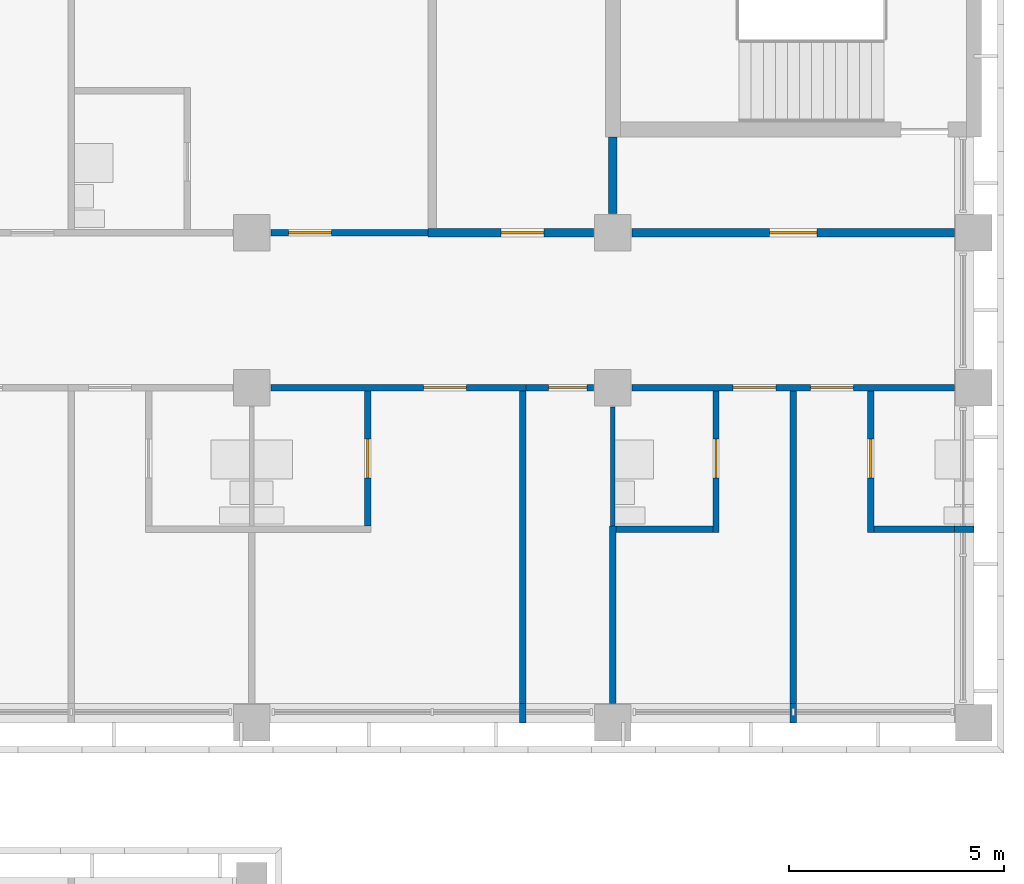
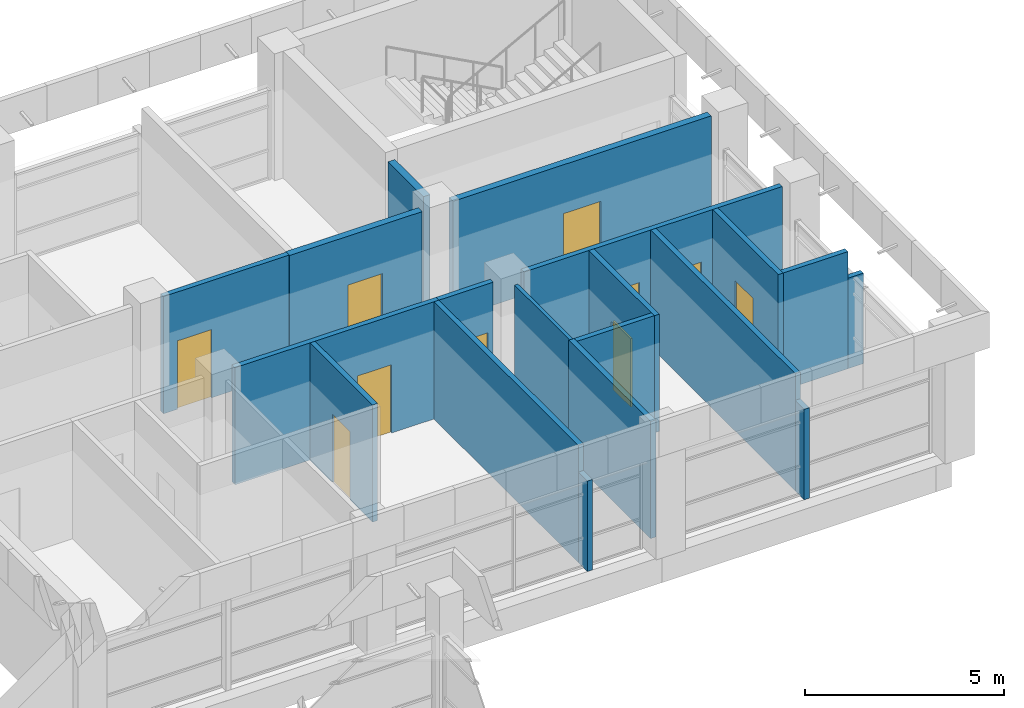
# One storey, part 42 of 74: 19 walls, 10 doors, 10 openings.
"""IFC4 building model written with IfcOpenShell, lengths in metres."""

from ifc_helpers import new_model, si_unit, direction, frame, frame_2d, origin, place, context, subcontext, project, spatial, rectangle, extrude, material, layer, layer_set, type_object, element, fill, save


model = new_model("IFC4")

# Units and contexts
model_context = context("Model", 3, precision=1e-05, world=origin(), true_north=direction((0.0, 1.0)))
body_context = subcontext(model_context, "Body", "Model", "MODEL_VIEW")
ifc_project = project(units=[si_unit("LENGTHUNIT", "METRE"), si_unit("AREAUNIT", "SQUARE_METRE"), si_unit("VOLUMEUNIT", "CUBIC_METRE"), si_unit("PLANEANGLEUNIT", "RADIAN"), si_unit("MASSUNIT", "GRAM", prefix="KILO")], contexts=[model_context])

# Site, building, storey
site_placement = place(None, origin())
site = spatial("IfcSite", under=ifc_project, at=site_placement, CompositionType="ELEMENT")
building_placement = place(site_placement, origin())
building = spatial("IfcBuilding", under=site, at=building_placement, Name="Bougainvillea Quay General Hospital", CompositionType="ELEMENT")
storey_placement = place(building_placement, frame((0.0, 0.0, 21.0)))
storey = spatial("IfcBuildingStorey", under=building, at=storey_placement, Name="L04", CompositionType="ELEMENT", Elevation=21.0)

# Walls
ifc_material_1 = material(Name="Gypsum board partition on steel studs", Category="steel")
ifc_layer_1 = layer(ifc_material_1, 0.10009765625)
ifc_layer_set_1 = layer_set([ifc_layer_1], Name="Gypsum board partition on steel studs")
wall_type_1 = type_object("IfcWallType", Name="Partition 100 Gypsum board partition", PredefinedType="PARTITIONING", material=ifc_layer_set_1)
wall_1_placement = place(storey_placement, frame((176.39990234375, 144.97509765625, 0.0), z_axis=(0.0, 0.0, 1.0), x_axis=(0.0, 1.0, 0.0)))
element("IfcWall", 1, at=wall_1_placement, inside=storey, type_object=wall_type_1, Name="Partition 100 mm", PredefinedType="PARTITIONING", context=body_context, shape_type="SweptSolid", body=[
    extrude(rectangle(XDim=2.77490234375, YDim=0.10009765625, at=frame_2d((1.387451171875, 0.0))), origin(), (0.0, 0.0, 1.0), 3.60009765625),
])
ifc_material_2 = material(Name="Gypsum board partition on steel studs, insulated", Category="steel")
ifc_layer_2 = layer(ifc_material_2, 0.14990234375)
ifc_layer_set_2 = layer_set([ifc_layer_2], Name="Gypsum board partition on steel studs, insulated")
wall_type_2 = type_object("IfcWallType", Name="Partition 150 Gypsum board partition", PredefinedType="PARTITIONING", material=ifc_layer_set_2)
wall_2_placement = place(storey_placement, frame((174.300048828125, 140.39990234375, 0.0), z_axis=(0.0, 0.0, 1.0), x_axis=(0.0, 1.0, 0.0)))
element("IfcWall", 2, at=wall_2_placement, inside=storey, type_object=wall_type_2, Name="Partition 150 mm", PredefinedType="PARTITIONING", context=body_context, shape_type="SweptSolid", body=[
    extrude(rectangle(XDim=0.4501953125, YDim=0.14990234375, at=frame_2d((0.22509765625, 0.0))), origin(), (0.0, 0.0, 1.0), 2.780029296875),
])
wall_3_placement = place(storey_placement, frame((174.300048828125, 140.85009765625, 0.0), z_axis=(0.0, 0.0, 1.0), x_axis=(0.0, 1.0, 0.0)))
element("IfcWall", 3, at=wall_3_placement, inside=storey, type_object=wall_type_2, Name="Partition 150 mm", PredefinedType="PARTITIONING", context=body_context, shape_type="SweptSolid", body=[
    extrude(rectangle(XDim=7.27490234375, YDim=0.14990234375, at=frame_2d((3.637451171875, 0.0))), origin(), (0.0, 0.0, 1.0), 3.60009765625),
])
wall_4_placement = place(storey_placement, frame((180.60009765625, 140.39990234375, 0.0), z_axis=(0.0, 0.0, 1.0), x_axis=(0.0, 1.0, 0.0)))
element("IfcWall", 4, at=wall_4_placement, inside=storey, type_object=wall_type_2, Name="Partition 150 mm", PredefinedType="PARTITIONING", context=body_context, shape_type="SweptSolid", body=[
    extrude(rectangle(XDim=0.4501953125, YDim=0.14990234375, at=frame_2d((0.22509765625, 0.0))), origin(), (0.0, 0.0, 1.0), 2.780029296875),
])
wall_5_placement = place(storey_placement, frame((180.60009765625, 140.85009765625, 0.0), z_axis=(0.0, 0.0, 1.0), x_axis=(0.0, 1.0, 0.0)))
element("IfcWall", 5, at=wall_5_placement, inside=storey, type_object=wall_type_2, Name="Partition 150 mm", PredefinedType="PARTITIONING", context=body_context, shape_type="SweptSolid", body=[
    extrude(rectangle(XDim=7.27490234375, YDim=0.14990234375, at=frame_2d((3.637451171875, 0.0))), origin(), (0.0, 0.0, 1.0), 3.60009765625),
])
wall_6_placement = place(storey_placement, frame((176.39990234375, 140.85009765625, 0.0), z_axis=(0.0, 0.0, 1.0), x_axis=(0.0, 1.0, 0.0)))
element("IfcWall", 6, at=wall_6_placement, inside=storey, type_object=wall_type_2, Name="Partition 150 mm", PredefinedType="PARTITIONING", context=body_context, shape_type="SweptSolid", body=[
    extrude(rectangle(XDim=4.125, YDim=0.14990234375, at=frame_2d((2.0625, 0.0))), origin(), (0.0, 0.0, 1.0), 3.60009765625),
])

# Wall, opening, door
wall_7_placement = place(storey_placement, frame((170.699951171875, 144.97509765625, 0.0), z_axis=(0.0, 0.0, 1.0), x_axis=(0.0, 1.0, 0.0)))
wall_7 = element("IfcWall", 7, at=wall_7_placement, inside=storey, type_object=wall_type_2, Name="Partition 150 mm", PredefinedType="PARTITIONING", context=body_context, shape_type="SweptSolid", body=[
    extrude(rectangle(XDim=3.14990234375, YDim=0.14990234375, at=frame_2d((1.574951171875, 0.0))), origin(), (0.0, 0.0, 1.0), 3.60009765625),
])
opening_1_placement = place(wall_7_placement, frame((1.125, 0.0, 0.0)))
opening_1 = element("IfcOpeningElement", 8, at=opening_1_placement, cuts=wall_7, Name="Opening L04.062", PredefinedType="OPENING", context=body_context, shape_type="SweptSolid", body=[
    extrude(rectangle(XDim=0.89990234375, YDim=2.10009765625, at=frame_2d((0.449951171875, 1.050048828125))), frame((0.0, 0.0849609375, 0.0), z_axis=(0.0, -1.0, 0.0), x_axis=(1.0, 0.0, 0.0)), (0.0, 0.0, 1.0), 0.169921875),
])
ifc_material_3 = material(Name="Solid-core timber door leaf in steel frame", Category="steel")
door_type_1 = type_object("IfcDoorType", Name="Single leaf door 900x2100", OperationType="NOTDEFINED", PredefinedType="DOOR", material=ifc_material_3)
door_1_placement = place(opening_1_placement, origin())
door_1 = element("IfcDoor", 9, at=door_1_placement, inside=storey, type_object=door_type_1, Name="DT07 L04.062", OperationType="SINGLE_SWING_RIGHT", OverallHeight=2.10009765625, OverallWidth=0.89990234375, PredefinedType="DOOR", context=body_context, shape_type="SweptSolid", body=[
    extrude(rectangle(XDim=0.89990234375, YDim=2.10009765625, at=frame_2d((0.449951171875, 1.050048828125))), frame((0.0, 0.02490234375, 0.0), z_axis=(0.0, -1.0, 0.0), x_axis=(1.0, 0.0, 0.0)), (0.0, 0.0, 1.0), 0.050048828125),
])
fill(opening_1, door_1)

wall_8_placement = place(storey_placement, frame((178.800048828125, 144.824951171875, 0.0), z_axis=(0.0, 0.0, 1.0), x_axis=(0.0, 1.0, 0.0)))
wall_8 = element("IfcWall", 10, at=wall_8_placement, inside=storey, type_object=wall_type_2, Name="Partition 150 mm", PredefinedType="PARTITIONING", context=body_context, shape_type="SweptSolid", body=[
    extrude(rectangle(XDim=3.300048828125, YDim=0.14990234375, at=frame_2d((1.64990234375, 0.0))), origin(), (0.0, 0.0, 1.0), 3.60009765625),
])
opening_2_placement = place(wall_8_placement, frame((1.27490234375, 0.0, 0.0)))
opening_2 = element("IfcOpeningElement", 11, at=opening_2_placement, cuts=wall_8, Name="Opening L04.065", PredefinedType="OPENING", context=body_context, shape_type="SweptSolid", body=[
    extrude(rectangle(XDim=0.89990234375, YDim=2.10009765625, at=frame_2d((0.449951171875, 1.050048828125))), frame((0.0, 0.0849609375, 0.0), z_axis=(0.0, -1.0, 0.0), x_axis=(1.0, 0.0, 0.0)), (0.0, 0.0, 1.0), 0.169921875),
])
door_2_placement = place(opening_2_placement, origin())
door_2 = element("IfcDoor", 12, at=door_2_placement, inside=storey, type_object=door_type_1, Name="DT07 L04.065", OperationType="SINGLE_SWING_RIGHT", OverallHeight=2.10009765625, OverallWidth=0.89990234375, PredefinedType="DOOR", context=body_context, shape_type="SweptSolid", body=[
    extrude(rectangle(XDim=0.89990234375, YDim=2.10009765625, at=frame_2d((0.449951171875, 1.050048828125))), frame((0.0, 0.02490234375, 0.0), z_axis=(0.0, -1.0, 0.0), x_axis=(1.0, 0.0, 0.0)), (0.0, 0.0, 1.0), 0.050048828125),
])
fill(opening_2, door_2)

wall_9_placement = place(storey_placement, frame((182.39990234375, 144.824951171875, 0.0), z_axis=(0.0, 0.0, 1.0), x_axis=(0.0, 1.0, 0.0)))
wall_9 = element("IfcWall", 13, at=wall_9_placement, inside=storey, type_object=wall_type_2, Name="Partition 150 mm", PredefinedType="PARTITIONING", context=body_context, shape_type="SweptSolid", body=[
    extrude(rectangle(XDim=3.300048828125, YDim=0.14990234375, at=frame_2d((1.64990234375, 0.0))), origin(), (0.0, 0.0, 1.0), 3.60009765625),
])
opening_3_placement = place(wall_9_placement, frame((1.27490234375, 0.0, 0.0)))
opening_3 = element("IfcOpeningElement", 14, at=opening_3_placement, cuts=wall_9, Name="Opening L04.067", PredefinedType="OPENING", context=body_context, shape_type="SweptSolid", body=[
    extrude(rectangle(XDim=0.89990234375, YDim=2.10009765625, at=frame_2d((0.449951171875, 1.050048828125))), frame((0.0, 0.0849609375, 0.0), z_axis=(0.0, -1.0, 0.0), x_axis=(1.0, 0.0, 0.0)), (0.0, 0.0, 1.0), 0.169921875),
])
door_3_placement = place(opening_3_placement, frame((0.89990234375, 0.0, 0.0), z_axis=(0.0, 0.0, 1.0), x_axis=(-1.0, 0.0, 0.0)))
door_3 = element("IfcDoor", 15, at=door_3_placement, inside=storey, type_object=door_type_1, Name="DT07 L04.067", OperationType="SINGLE_SWING_LEFT", OverallHeight=2.10009765625, OverallWidth=0.89990234375, PredefinedType="DOOR", context=body_context, shape_type="SweptSolid", body=[
    extrude(rectangle(XDim=0.89990234375, YDim=2.10009765625, at=frame_2d((0.449951171875, 1.050048828125))), frame((0.0, 0.02490234375, 0.0), z_axis=(0.0, -1.0, 0.0), x_axis=(1.0, 0.0, 0.0)), (0.0, 0.0, 1.0), 0.050048828125),
])
fill(opening_3, door_3)

# Walls
wall_10_placement = place(storey_placement, frame((176.47509765625, 144.89990234375, 0.0), z_axis=(0.0, 0.0, 1.0), x_axis=(1.0, 0.0, 0.0)))
element("IfcWall", 16, at=wall_10_placement, inside=storey, type_object=wall_type_2, Name="Partition 150 mm", PredefinedType="PARTITIONING", context=body_context, shape_type="SweptSolid", body=[
    extrude(rectangle(XDim=2.25, YDim=0.14990234375, at=frame_2d((1.125, 0.0))), origin(), (0.0, 0.0, 1.0), 3.60009765625),
])
wall_11_placement = place(storey_placement, frame((182.47509765625, 144.89990234375, 0.0), z_axis=(0.0, 0.0, 1.0), x_axis=(1.0, 0.0, 0.0)))
element("IfcWall", 17, at=wall_11_placement, inside=storey, type_object=wall_type_2, Name="Partition 150 mm", PredefinedType="PARTITIONING", context=body_context, shape_type="SweptSolid", body=[
    extrude(rectangle(XDim=1.875, YDim=0.14990234375, at=frame_2d((0.9375, 0.0))), origin(), (0.0, 0.0, 1.0), 3.60009765625),
])
wall_12_placement = place(storey_placement, frame((184.35009765625, 144.89990234375, 0.0), z_axis=(0.0, 0.0, 1.0), x_axis=(1.0, 0.0, 0.0)))
element("IfcWall", 18, at=wall_12_placement, inside=storey, type_object=wall_type_2, Name="Partition 150 mm", PredefinedType="PARTITIONING", context=body_context, shape_type="SweptSolid", body=[
    extrude(rectangle(XDim=0.449951171875, YDim=0.14990234375, at=frame_2d((0.22509765625, 0.0))), origin(), (0.0, 0.0, 1.0), 2.780029296875),
])

# Wall, opening, door
ifc_layer_3 = layer(ifc_material_2, 0.14990234375)
ifc_layer_set_3 = layer_set([ifc_layer_3], Name="Gypsum board partition on steel studs, insulated")
wall_type_3 = type_object("IfcWallType", Name="Partition 150 Gypsum board partition EI 30", PredefinedType="PARTITIONING", material=ifc_layer_set_3)
wall_13_placement = place(storey_placement, frame((172.10009765625, 151.800048828125, 0.0), z_axis=(0.0, 0.0, 1.0), x_axis=(-1.0, 0.0, 0.0)))
wall_13 = element("IfcWall", 19, at=wall_13_placement, inside=storey, type_object=wall_type_3, Name="Partition 150 mm EI 30", PredefinedType="PARTITIONING", context=body_context, shape_type="SweptSolid", body=[
    extrude(rectangle(XDim=3.650146484375, YDim=0.14990234375, at=frame_2d((1.8251953125, 0.0))), origin(), (0.0, 0.0, 1.0), 3.60009765625),
])
opening_4_placement = place(wall_13_placement, frame((2.25, 0.0, 0.0)))
opening_4 = element("IfcOpeningElement", 20, at=opening_4_placement, cuts=wall_13, Name="Opening L04.056", PredefinedType="OPENING", context=body_context, shape_type="SweptSolid", body=[
    extrude(rectangle(XDim=1.0, YDim=2.10009765625, at=frame_2d((0.5, 1.050048828125))), frame((0.0, 0.0849609375, 0.0), z_axis=(0.0, -1.0, 0.0), x_axis=(1.0, 0.0, 0.0)), (0.0, 0.0, 1.0), 0.169921875),
])
door_type_2 = type_object("IfcDoorType", Name="Single leaf door 1000x2100 FD30S", OperationType="NOTDEFINED", PredefinedType="DOOR", material=ifc_material_3)
door_4_placement = place(opening_4_placement, frame((1.0, 0.0, 0.0), z_axis=(0.0, 0.0, 1.0), x_axis=(-1.0, 0.0, 0.0)))
door_4 = element("IfcDoor", 21, at=door_4_placement, inside=storey, type_object=door_type_2, Name="DT15 L04.056", OperationType="SINGLE_SWING_LEFT", OverallHeight=2.10009765625, OverallWidth=1.0, PredefinedType="DOOR", context=body_context, shape_type="SweptSolid", body=[
    extrude(rectangle(XDim=1.0, YDim=2.10009765625, at=frame_2d((0.5, 1.050048828125))), frame((0.0, 0.02490234375, 0.0), z_axis=(0.0, -1.0, 0.0), x_axis=(1.0, 0.0, 0.0)), (0.0, 0.0, 1.0), 0.050048828125),
])
fill(opening_4, door_4)

wall_14_placement = place(storey_placement, frame((174.375, 148.199951171875, 0.0), z_axis=(0.0, 0.0, 1.0), x_axis=(-1.0, 0.0, 0.0)))
wall_14 = element("IfcWall", 22, at=wall_14_placement, inside=storey, type_object=wall_type_3, Name="Partition 150 mm EI 30", PredefinedType="PARTITIONING", context=body_context, shape_type="SweptSolid", body=[
    extrude(rectangle(XDim=5.925048828125, YDim=0.14990234375, at=frame_2d((2.96240234375, 0.0))), origin(), (0.0, 0.0, 1.0), 3.60009765625),
])
opening_5_placement = place(wall_14_placement, frame((1.375, 0.0, 0.0)))
opening_5 = element("IfcOpeningElement", 23, at=opening_5_placement, cuts=wall_14, Name="Opening L04.061", PredefinedType="OPENING", context=body_context, shape_type="SweptSolid", body=[
    extrude(rectangle(XDim=1.0, YDim=2.10009765625, at=frame_2d((0.5, 1.050048828125))), frame((0.0, 0.0849609375, 0.0), z_axis=(0.0, -1.0, 0.0), x_axis=(1.0, 0.0, 0.0)), (0.0, 0.0, 1.0), 0.169921875),
])
door_5_placement = place(opening_5_placement, origin())
door_5 = element("IfcDoor", 24, at=door_5_placement, inside=storey, type_object=door_type_2, Name="DT15 L04.061", OperationType="SINGLE_SWING_LEFT", OverallHeight=2.10009765625, OverallWidth=1.0, PredefinedType="DOOR", context=body_context, shape_type="SweptSolid", body=[
    extrude(rectangle(XDim=1.0, YDim=2.10009765625, at=frame_2d((0.5, 1.050048828125))), frame((0.0, 0.02490234375, 0.0), z_axis=(0.0, -1.0, 0.0), x_axis=(1.0, 0.0, 0.0)), (0.0, 0.0, 1.0), 0.050048828125),
])
fill(opening_5, door_5)

# Wall, openings, doors
wall_15_placement = place(storey_placement, frame((184.35009765625, 148.199951171875, 0.0), z_axis=(0.0, 0.0, 1.0), x_axis=(-1.0, 0.0, 0.0)))
wall_15 = element("IfcWall", 25, at=wall_15_placement, inside=storey, type_object=wall_type_3, Name="Partition 150 mm EI 30", PredefinedType="PARTITIONING", context=body_context, shape_type="SweptSolid", body=[
    extrude(rectangle(XDim=7.5, YDim=0.14990234375, at=frame_2d((3.75, 0.0))), origin(), (0.0, 0.0, 1.0), 3.60009765625),
])
opening_6_placement = place(wall_15_placement, frame((4.14990234375, 0.0, 0.0)))
opening_6 = element("IfcOpeningElement", 26, at=opening_6_placement, cuts=wall_15, Name="Opening L04.064", PredefinedType="OPENING", context=body_context, shape_type="SweptSolid", body=[
    extrude(rectangle(XDim=1.0, YDim=2.10009765625, at=frame_2d((0.5, 1.050048828125))), frame((0.0, 0.0849609375, 0.0), z_axis=(0.0, -1.0, 0.0), x_axis=(1.0, 0.0, 0.0)), (0.0, 0.0, 1.0), 0.169921875),
])
opening_7_placement = place(wall_15_placement, frame((2.35009765625, 0.0, 0.0)))
opening_7 = element("IfcOpeningElement", 27, at=opening_7_placement, cuts=wall_15, Name="Opening L04.066", PredefinedType="OPENING", context=body_context, shape_type="SweptSolid", body=[
    extrude(rectangle(XDim=1.0, YDim=2.10009765625, at=frame_2d((0.5, 1.050048828125))), frame((0.0, 0.0849609375, 0.0), z_axis=(0.0, -1.0, 0.0), x_axis=(1.0, 0.0, 0.0)), (0.0, 0.0, 1.0), 0.169921875),
])
door_6_placement = place(opening_6_placement, origin())
door_6 = element("IfcDoor", 28, at=door_6_placement, inside=storey, type_object=door_type_2, Name="DT15 L04.064", OperationType="SINGLE_SWING_RIGHT", OverallHeight=2.10009765625, OverallWidth=1.0, PredefinedType="DOOR", context=body_context, shape_type="SweptSolid", body=[
    extrude(rectangle(XDim=1.0, YDim=2.10009765625, at=frame_2d((0.5, 1.050048828125))), frame((0.0, 0.02490234375, 0.0), z_axis=(0.0, -1.0, 0.0), x_axis=(1.0, 0.0, 0.0)), (0.0, 0.0, 1.0), 0.050048828125),
])
fill(opening_6, door_6)
door_7_placement = place(opening_7_placement, origin())
door_7 = element("IfcDoor", 29, at=door_7_placement, inside=storey, type_object=door_type_2, Name="DT15 L04.066", OperationType="SINGLE_SWING_LEFT", OverallHeight=2.10009765625, OverallWidth=1.0, PredefinedType="DOOR", context=body_context, shape_type="SweptSolid", body=[
    extrude(rectangle(XDim=1.0, YDim=2.10009765625, at=frame_2d((0.5, 1.050048828125))), frame((0.0, 0.02490234375, 0.0), z_axis=(0.0, -1.0, 0.0), x_axis=(1.0, 0.0, 0.0)), (0.0, 0.0, 1.0), 0.050048828125),
])
fill(opening_7, door_7)

# Wall, opening, door
ifc_layer_4 = layer(ifc_material_2, 0.14990234375)
ifc_layer_set_4 = layer_set([ifc_layer_4], Name="Gypsum board partition on steel studs, insulated")
wall_type_4 = type_object("IfcWallType", Name="Partition 150 Gypsum board partition EI 60", PredefinedType="PARTITIONING", material=ifc_layer_set_4)
wall_16_placement = place(storey_placement, frame((174.375, 148.199951171875, 0.0), z_axis=(0.0, 0.0, 1.0), x_axis=(1.0, 0.0, 0.0)))
wall_16 = element("IfcWall", 30, at=wall_16_placement, inside=storey, type_object=wall_type_4, Name="Partition 150 mm EI 60", PredefinedType="PARTITIONING", context=body_context, shape_type="SweptSolid", body=[
    extrude(rectangle(XDim=1.574951171875, YDim=0.14990234375, at=frame_2d((0.78759765625, 0.0))), origin(), (0.0, 0.0, 1.0), 3.60009765625),
])
opening_8_placement = place(wall_16_placement, frame((0.52490234375, 0.0, 0.0)))
opening_8 = element("IfcOpeningElement", 31, at=opening_8_placement, cuts=wall_16, Name="Opening L04.063", PredefinedType="OPENING", context=body_context, shape_type="SweptSolid", body=[
    extrude(rectangle(XDim=0.89990234375, YDim=2.10009765625, at=frame_2d((0.449951171875, 1.050048828125))), frame((0.0, 0.0849609375, 0.0), z_axis=(0.0, -1.0, 0.0), x_axis=(1.0, 0.0, 0.0)), (0.0, 0.0, 1.0), 0.169921875),
])
door_type_3 = type_object("IfcDoorType", Name="Single leaf door 900x2100 FD60", OperationType="NOTDEFINED", PredefinedType="DOOR", material=ifc_material_3)
door_8_placement = place(opening_8_placement, frame((0.89990234375, 0.0, 0.0), z_axis=(0.0, 0.0, 1.0), x_axis=(-1.0, 0.0, 0.0)))
door_8 = element("IfcDoor", 32, at=door_8_placement, inside=storey, type_object=door_type_3, Name="DT18 L04.063", OperationType="SINGLE_SWING_LEFT", OverallHeight=2.10009765625, OverallWidth=0.89990234375, PredefinedType="DOOR", context=body_context, shape_type="SweptSolid", body=[
    extrude(rectangle(XDim=0.89990234375, YDim=2.10009765625, at=frame_2d((0.449951171875, 1.050048828125))), frame((0.0, 0.02490234375, 0.0), z_axis=(0.0, -1.0, 0.0), x_axis=(1.0, 0.0, 0.0)), (0.0, 0.0, 1.0), 0.050048828125),
])
fill(opening_8, door_8)

ifc_material_4 = material(Name="Fire-rated autoclaved aerated block wall, plastered")
ifc_layer_5 = layer(ifc_material_4, 0.199951171875)
ifc_layer_set_5 = layer_set([ifc_layer_5], Name="Fire-rated autoclaved aerated block wall, plastered")
wall_type_5 = type_object("IfcWallType", Name="Partition 200 Fire-rated autoclaved aerated block wall EI 120", PredefinedType="SOLIDWALL", material=ifc_layer_set_5)
wall_17_placement = place(storey_placement, frame((172.10009765625, 151.800048828125, 0.0), z_axis=(0.0, 0.0, 1.0), x_axis=(1.0, 0.0, 0.0)))
wall_17 = element("IfcWall", 33, at=wall_17_placement, inside=storey, type_object=wall_type_5, Name="Partition 200 mm EI 120", PredefinedType="SOLIDWALL", context=body_context, shape_type="SweptSolid", body=[
    extrude(rectangle(XDim=3.849853515625, YDim=0.199951171875, at=frame_2d((1.9248046875, 0.0))), origin(), (0.0, 0.0, 1.0), 3.60009765625),
])
opening_9_placement = place(wall_17_placement, frame((1.699951171875, 0.0, 0.0)))
opening_9 = element("IfcOpeningElement", 34, at=opening_9_placement, cuts=wall_17, Name="Opening L04.072", PredefinedType="OPENING", context=body_context, shape_type="SweptSolid", body=[
    extrude(rectangle(XDim=1.0, YDim=2.10009765625, at=frame_2d((0.5, 1.050048828125))), frame((0.0, 0.10986328125, 0.0), z_axis=(0.0, -1.0, 0.0), x_axis=(1.0, 0.0, 0.0)), (0.0, 0.0, 1.0), 0.219970703125),
])
ifc_material_5 = material(Name="Steel fire door leaf in steel frame", Category="steel")
door_type_4 = type_object("IfcDoorType", Name="Steel single leaf door 1000x2100 FD90", OperationType="NOTDEFINED", PredefinedType="DOOR", material=ifc_material_5)
door_9_placement = place(opening_9_placement, origin())
door_9 = element("IfcDoor", 35, at=door_9_placement, inside=storey, type_object=door_type_4, Name="DT11 L04.072", OperationType="SINGLE_SWING_RIGHT", OverallHeight=2.10009765625, OverallWidth=1.0, PredefinedType="DOOR", context=body_context, shape_type="SweptSolid", body=[
    extrude(rectangle(XDim=1.0, YDim=2.10009765625, at=frame_2d((0.5, 1.050048828125))), frame((0.0, 0.02490234375, 0.0), z_axis=(0.0, -1.0, 0.0), x_axis=(1.0, 0.0, 0.0)), (0.0, 0.0, 1.0), 0.050048828125),
])
fill(opening_9, door_9)

wall_18_placement = place(storey_placement, frame((176.85009765625, 151.800048828125, 0.0), z_axis=(0.0, 0.0, 1.0), x_axis=(1.0, 0.0, 0.0)))
wall_18 = element("IfcWall", 36, at=wall_18_placement, inside=storey, type_object=wall_type_5, Name="Partition 200 mm EI 120", PredefinedType="SOLIDWALL", context=body_context, shape_type="SweptSolid", body=[
    extrude(rectangle(XDim=7.5, YDim=0.199951171875, at=frame_2d((3.75, 0.0))), origin(), (0.0, 0.0, 1.0), 3.60009765625),
])
opening_10_placement = place(wall_18_placement, frame((3.199951171875, 0.0, 0.0)))
opening_10 = element("IfcOpeningElement", 37, at=opening_10_placement, cuts=wall_18, Name="Opening L04.148", PredefinedType="OPENING", context=body_context, shape_type="SweptSolid", body=[
    extrude(rectangle(XDim=1.10009765625, YDim=2.10009765625, at=frame_2d((0.550048828125, 1.050048828125))), frame((0.0, 0.10986328125, 0.0), z_axis=(0.0, -1.0, 0.0), x_axis=(1.0, 0.0, 0.0)), (0.0, 0.0, 1.0), 0.219970703125),
])
door_type_5 = type_object("IfcDoorType", Name="Steel single leaf door 1100x2100 FD60", OperationType="NOTDEFINED", PredefinedType="DOOR", material=ifc_material_5)
door_10_placement = place(opening_10_placement, origin())
door_10 = element("IfcDoor", 38, at=door_10_placement, inside=storey, type_object=door_type_5, Name="DT04 L04.148", OperationType="SINGLE_SWING_RIGHT", OverallHeight=2.10009765625, OverallWidth=1.10009765625, PredefinedType="DOOR", context=body_context, shape_type="SweptSolid", body=[
    extrude(rectangle(XDim=1.10009765625, YDim=2.10009765625, at=frame_2d((0.550048828125, 1.050048828125))), frame((0.0, 0.02490234375, 0.0), z_axis=(0.0, -1.0, 0.0), x_axis=(1.0, 0.0, 0.0)), (0.0, 0.0, 1.0), 0.050048828125),
])
fill(opening_10, door_10)

# Wall
wall_19_placement = place(storey_placement, frame((176.39990234375, 152.25, 0.0), z_axis=(0.0, 0.0, 1.0), x_axis=(0.0, 1.0, 0.0)))
element("IfcWall", 39, at=wall_19_placement, inside=storey, type_object=wall_type_5, Name="Partition 200 mm EI 120", PredefinedType="SOLIDWALL", context=body_context, shape_type="SweptSolid", body=[
    extrude(rectangle(XDim=1.77490234375, YDim=0.199951171875, at=frame_2d((0.887451171875, 0.0))), origin(), (0.0, 0.0, 1.0), 3.60009765625),
])

save(model, "model.ifc")
